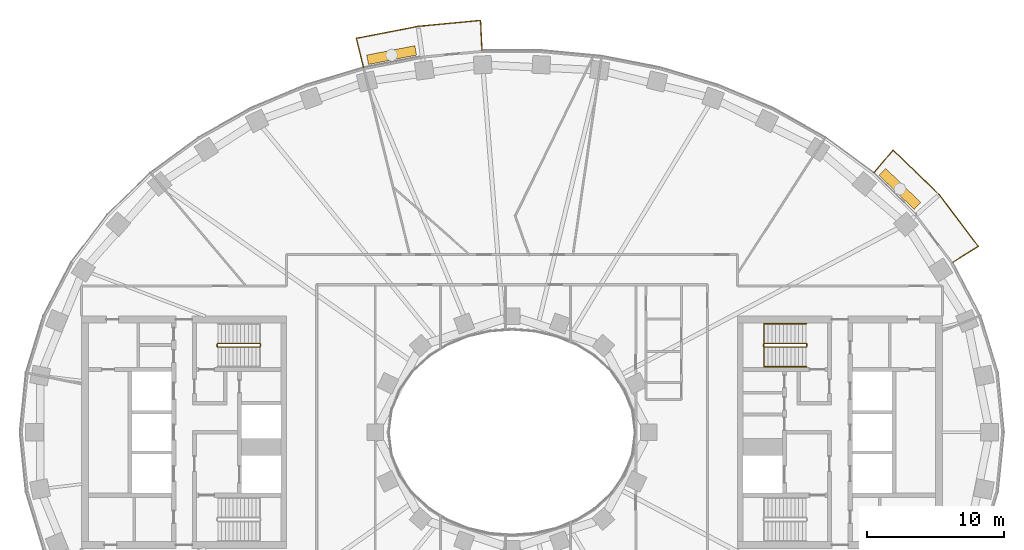
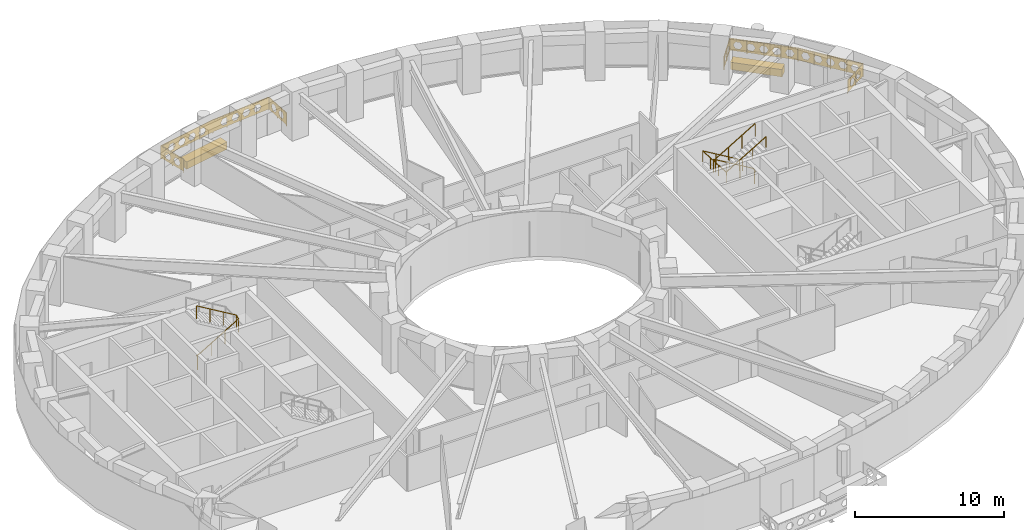
# One storey, part 15 of 16: 5 railings, 2 coverings.
"""IFC4 building model written with IfcOpenShell, lengths in metres."""

import ifcopenshell
import ifcopenshell.guid

model = None  # the IFC model being written
_history = None  # IfcOwnerHistory: only IFC2X3 demands one
_inside = {}  # id of a spatial element -> (the spatial element, [elements in it])
_under = {}  # id of a project, library or spatial element -> (it, [spatial elements below it])
_declared = {}  # id of a project -> (the project, [libraries it declares])
_typed = {}  # id of a type object -> (the type object, [elements of that type])
_made_of = {}  # id of a material, layer set ... -> (it, [elements and type objects made of it])


def new_model(schema):
    """Start an empty IFC model of exactly this schema.

    Asked for "IFC4X3", IfcOpenShell would pick the latest addendum, in which some entities
    have other attributes; the version numbers below select the first issue.
    IFC2X3 requires an IfcOwnerHistory on every rooted entity: one is made here for all.
    """
    global model, _history
    if schema == "IFC4X3":
        model = ifcopenshell.file(schema_version=(4, 3, 0, 0))
    else:
        model = ifcopenshell.file(schema=schema)
    _inside.clear()
    _under.clear()
    _declared.clear()
    _typed.clear()
    _made_of.clear()
    _history = None
    if model.schema == "IFC2X3":
        org = make("IfcOrganization", Name="unknown")
        user = make(
            "IfcPersonAndOrganization",
            ThePerson=make("IfcPerson", FamilyName="unknown"),
            TheOrganization=org,
        )
        app = make(
            "IfcApplication",
            ApplicationDeveloper=org,
            Version="unknown",
            ApplicationFullName="unknown",
            ApplicationIdentifier="unknown",
        )
        _history = make(
            "IfcOwnerHistory",
            OwningUser=user,
            OwningApplication=app,
            ChangeAction="ADDED",
            CreationDate=0,
        )
    return model


def make(cls, **values):
    """One entity of the class cls with the attributes given. An attribute that is None is left unset."""
    return model.create_entity(
        cls, **{name: value for name, value in values.items() if value is not None}
    )


def rooted(cls, **values):
    """An entity with a GlobalId (a new one), such as an element, a storey or a relation."""
    return make(cls, GlobalId=ifcopenshell.guid.new(), OwnerHistory=_history, **values)


def si_unit(unit_type, name, prefix=None):
    """IfcSIUnit, for example si_unit("LENGTHUNIT", "METRE", prefix="MILLI")."""
    return make("IfcSIUnit", UnitType=unit_type, Prefix=prefix, Name=name)


def assignment(units):
    """IfcUnitAssignment: the units of a project."""
    return None if units is None else make("IfcUnitAssignment", Units=units)


def point(xyz):
    """IfcCartesianPoint."""
    return None if xyz is None else make("IfcCartesianPoint", Coordinates=xyz)


def direction(xyz):
    """IfcDirection."""
    return None if xyz is None else make("IfcDirection", DirectionRatios=xyz)


def frame(location, z_axis=None, x_axis=None):
    """IfcAxis2Placement3D, a coordinate frame: its origin and axes. An axis left out is left unset."""
    return make(
        "IfcAxis2Placement3D",
        Location=point(location),
        Axis=direction(z_axis),
        RefDirection=direction(x_axis),
    )


def frame_2d(location, x_axis=None):
    """IfcAxis2Placement2D, a coordinate frame in the plane: its origin and x axis."""
    return make(
        "IfcAxis2Placement2D", Location=point(location), RefDirection=direction(x_axis)
    )


def origin():
    """The frame at (0, 0, 0) with its axes left unset."""
    return frame((0.0, 0.0, 0.0))


def origin_2d():
    """The frame at (0, 0) in the plane with its x axis left unset."""
    return frame_2d((0.0, 0.0))


def place(relative_to, where):
    """IfcLocalPlacement: puts the frame where relative to a parent placement (None: the world)."""
    return make(
        "IfcLocalPlacement", PlacementRelTo=relative_to, RelativePlacement=where
    )


def context(
    kind, dimensions, precision=None, world=None, true_north=None, identifier=None
):
    """IfcGeometricRepresentationContext, for example the 3D "Model" context."""
    return make(
        "IfcGeometricRepresentationContext",
        ContextIdentifier=identifier,
        ContextType=kind,
        CoordinateSpaceDimension=dimensions,
        Precision=precision,
        WorldCoordinateSystem=world,
        TrueNorth=true_north,
    )


def subcontext(parent, identifier, kind, view, scale=None):
    """IfcGeometricRepresentationSubContext, for example "Body" below "Model"."""
    return make(
        "IfcGeometricRepresentationSubContext",
        ContextIdentifier=identifier,
        ContextType=kind,
        ParentContext=parent,
        TargetScale=scale,
        TargetView=view,
    )


def project(units=None, contexts=None):
    """IfcProject with its units and contexts."""
    return rooted(
        "IfcProject",
        Name="project",
        RepresentationContexts=contexts,
        UnitsInContext=assignment(units),
    )


def spatial(cls, under=None, at=None, **own):
    """A site, building, storey or space (cls), placed at a placement, below another one or the project."""
    s = rooted(cls, ObjectPlacement=at, **own)
    if under is not None:
        _under.setdefault(under.id(), (under, []))[1].append(s)
    return s


def polyline(points):
    """IfcPolyline through the points."""
    return make("IfcPolyline", Points=[point(p) for p in points])


def profile(cls, at=None, kind="AREA", **sizes):
    """A parametric profile (cls). Its sizes go by their IFC names, for example OverallWidth=200.0."""
    return make(cls, ProfileType=kind, Position=at, **sizes)


def rectangle(**sizes):
    """IfcRectangleProfileDef."""
    return profile("IfcRectangleProfileDef", **sizes)


def outline(outer, holes=None, kind="AREA"):
    """IfcArbitraryClosedProfileDef: a profile drawn as a closed curve; with holes, ...WithVoids."""
    if holes is None:
        return make("IfcArbitraryClosedProfileDef", ProfileType=kind, OuterCurve=outer)
    return make(
        "IfcArbitraryProfileDefWithVoids",
        ProfileType=kind,
        OuterCurve=outer,
        InnerCurves=holes,
    )


def extrude(swept, where, along, depth):
    """IfcExtrudedAreaSolid: the profile swept, set in the frame where, extruded along a direction by depth."""
    return make(
        "IfcExtrudedAreaSolid",
        SweptArea=swept,
        Position=where,
        ExtrudedDirection=direction(along),
        Depth=depth,
    )


def shape(context_of_items, identifier, shape_type, items):
    """IfcShapeRepresentation: the items that make up one representation, for example the "Body"."""
    return make(
        "IfcShapeRepresentation",
        ContextOfItems=context_of_items,
        RepresentationIdentifier=identifier,
        RepresentationType=shape_type,
        Items=items,
    )


def material(Name=None, Category=None):
    """IfcMaterial."""
    return make("IfcMaterial", Name=Name, Category=Category)


def made_of(thing, what):
    """Note that an element or type object is made of a material, layer set ...; save() writes the relation."""
    if what is not None:
        _made_of.setdefault(what.id(), (what, []))[1].append(thing)
    return thing


def type_object(cls, material=None, **own):
    """A type object (cls), such as IfcWallType, which elements share."""
    return made_of(rooted(cls, **own), material)


def element(
    cls,
    number,
    at=None,
    inside=None,
    cuts=None,
    type_object=None,
    material=None,
    context=None,
    identifier="Body",
    shape_type=None,
    held_by="IfcProductDefinitionShape",
    body=None,
    shapes=None,
    **own,
):
    """One element of the class cls, such as IfcWall. Its Tag is "e" and its number.

    at: its placement. inside: the storey or other place that contains it. cuts: it is an
    opening in that element (IfcRelVoidsElement). A single representation is given by context,
    identifier, shape_type and body (its items); several are given by shapes. held_by: the class
    of the entity that holds the representations. save() writes the other relations.
    """
    e = rooted(cls, Tag="e%d" % number, ObjectPlacement=at, **own)
    if body is not None:
        shapes = [shape(context, identifier, shape_type, body)]
    if shapes is not None:
        e.Representation = make(held_by, Representations=shapes)
    if inside is not None:
        _inside.setdefault(inside.id(), (inside, []))[1].append(e)
    if cuts is not None:
        rooted(
            "IfcRelVoidsElement", RelatingBuildingElement=cuts, RelatedOpeningElement=e
        )
    if type_object is not None:
        _typed.setdefault(type_object.id(), (type_object, []))[1].append(e)
    return made_of(e, material)


def aggregate(whole, parts):
    """IfcRelAggregates: a whole, such as a stair, and the parts it consists of."""
    return rooted("IfcRelAggregates", RelatingObject=whole, RelatedObjects=parts)


def save(model, path):
    """Write the relations noted so far, then the file.

    IfcRelAggregates (storeys below a building ...), IfcRelContainedInSpatialStructure (elements
    in a storey), IfcRelDefinesByType, IfcRelAssociatesMaterial and IfcRelDeclares: one each for
    every whole, place, type object, material and project.
    """
    for whole, parts in _under.values():
        aggregate(whole, parts)
    for where, things in _inside.values():
        rooted(
            "IfcRelContainedInSpatialStructure",
            RelatedElements=things,
            RelatingStructure=where,
        )
    for kind, things in _typed.values():
        rooted("IfcRelDefinesByType", RelatedObjects=things, RelatingType=kind)
    for what, things in _made_of.values():
        rooted("IfcRelAssociatesMaterial", RelatedObjects=things, RelatingMaterial=what)
    for by, libraries in _declared.values():
        rooted("IfcRelDeclares", RelatingContext=by, RelatedDefinitions=libraries)
    model.write(path)


model = new_model("IFC4")

# Units and contexts
model_context = context("Model", 3, precision=1e-05, world=origin(), true_north=direction((0.0, 1.0)))
body_context = subcontext(model_context, "Body", "Model", "MODEL_VIEW")
ifc_project = project(units=[si_unit("LENGTHUNIT", "METRE"), si_unit("AREAUNIT", "SQUARE_METRE"), si_unit("VOLUMEUNIT", "CUBIC_METRE"), si_unit("PLANEANGLEUNIT", "RADIAN"), si_unit("MASSUNIT", "GRAM", prefix="KILO")], contexts=[model_context])

# Site, building, storey
site_placement = place(None, origin())
site = spatial("IfcSite", under=ifc_project, at=site_placement, CompositionType="ELEMENT")
building_placement = place(site_placement, origin())
building = spatial("IfcBuilding", under=site, at=building_placement, Name="Noorbagh Ring Tower", CompositionType="ELEMENT")
storey_placement = place(building_placement, frame((0.0, 0.0, 108.0)))
storey = spatial("IfcBuildingStorey", under=building, at=storey_placement, Name="L24", CompositionType="ELEMENT", Elevation=108.0)

# Railings
ifc_material_1 = material(Name="Stainless steel", Category="steel")
railing_type_1 = type_object("IfcRailingType", Name="CORE-STAIR-GUARD", PredefinedType="GUARDRAIL", material=ifc_material_1)
railing_1_placement = place(storey_placement, frame((-21.580078125, 6.300048828125, 0.0)))
element("IfcRailing", 1, at=railing_1_placement, inside=storey, type_object=railing_type_1, Name="L24 ST1 stair guard", PredefinedType="GUARDRAIL", context=body_context, shape_type="SweptSolid", body=[
    extrude(rectangle(XDim=0.048095703125, YDim=0.048095703125, at=origin_2d()), frame((0.0, 0.0, 1.076171875), z_axis=(0.0, 1.0, 0.0), x_axis=(-1.0, 0.0, 0.0)), (0.0, 0.0, 1.0), 0.14990234375),
    extrude(rectangle(XDim=0.048095703125, YDim=0.048095703125, at=origin_2d()), frame((0.0, 0.14990234375, 1.076171875), z_axis=(0.188775798145, -0.754182335027, 0.628945707965), x_axis=(0.970072785993, 0.242814311512, 0.0)), (0.0, 0.0, 1.0), 0.26513671875),
    extrude(rectangle(XDim=0.048095703125, YDim=0.048095703125, at=origin_2d()), frame((0.050048828125, -0.050048828125, 1.24267578125), z_axis=(0.859308565015, 0.0, 0.511457515432), x_axis=(0.0, 1.0, 0.0)), (0.0, 0.0, 1.0), 3.58447265625),
    extrude(rectangle(XDim=0.048095703125, YDim=0.048095703125, at=origin_2d()), frame((3.130126953125, -0.050048828125, 3.076171875), z_axis=(0.707106781187, 0.707106781187, 0.0), x_axis=(-0.707106781187, 0.707106781187, 0.0)), (0.0, 0.0, 1.0), 0.07080078125),
    extrude(rectangle(XDim=0.048095703125, YDim=0.048095703125, at=origin_2d()), frame((3.18017578125, 0.0, 3.076171875), z_axis=(0.0, 1.0, 0.0), x_axis=(-1.0, 0.0, 0.0)), (0.0, 0.0, 1.0), 0.14990234375),
    extrude(rectangle(XDim=0.048095703125, YDim=0.048095703125, at=origin_2d()), frame((3.18017578125, 0.14990234375, 3.076171875), z_axis=(-0.27628659633, 0.27628659633, 0.920506074601), x_axis=(-0.707106781187, -0.707106781187, 0.0)), (0.0, 0.0, 1.0), 0.18115234375),
    extrude(rectangle(XDim=0.048095703125, YDim=0.048095703125, at=origin_2d()), frame((3.130126953125, 0.199951171875, 3.24267578125), z_axis=(-0.859308565015, 0.0, 0.511457515432), x_axis=(0.0, -1.0, 0.0)), (0.0, 0.0, 1.0), 3.58447265625),
    extrude(rectangle(XDim=0.0419921875, YDim=0.0419921875, at=origin_2d()), origin(), (0.0, 0.0, 1.0), 1.052001953125),
    extrude(rectangle(XDim=0.0419921875, YDim=0.0419921875, at=origin_2d()), frame((1.07666015625, -0.050048828125, 0.77783203125)), (0.0, 0.0, 1.0), 1.052001953125),
    extrude(rectangle(XDim=0.0419921875, YDim=0.0419921875, at=origin_2d()), frame((2.103515625, -0.050048828125, 1.388916015625)), (0.0, 0.0, 1.0), 1.052001953125),
    extrude(rectangle(XDim=0.0419921875, YDim=0.0419921875, at=origin_2d()), frame((3.130126953125, -0.050048828125, 2.0)), (0.0, 0.0, 1.0), 1.052001953125),
    extrude(rectangle(XDim=0.0419921875, YDim=0.0419921875, at=origin_2d()), frame((3.130126953125, 0.199951171875, 2.166748046875)), (0.0, 0.0, 1.0), 1.052001953125),
    extrude(rectangle(XDim=0.0419921875, YDim=0.0419921875, at=origin_2d()), frame((2.103515625, 0.199951171875, 2.77783203125)), (0.0, 0.0, 1.0), 1.052001953125),
    extrude(rectangle(XDim=0.0419921875, YDim=0.0419921875, at=origin_2d()), frame((1.07666015625, 0.199951171875, 3.388916015625)), (0.0, 0.0, 1.0), 1.052001953125),
    extrude(rectangle(XDim=0.0419921875, YDim=0.0419921875, at=origin_2d()), frame((0.050048828125, 0.199951171875, 4.0)), (0.0, 0.0, 1.0), 1.052001953125),
])
railing_2_placement = place(storey_placement, frame((21.580078125, 6.449951171875, 0.0)))
element("IfcRailing", 2, at=railing_2_placement, inside=storey, type_object=railing_type_1, Name="L24 ST3 stair guard", PredefinedType="GUARDRAIL", context=body_context, shape_type="SweptSolid", body=[
    extrude(rectangle(XDim=0.048095703125, YDim=0.048095703125, at=origin_2d()), frame((0.0, 0.0, 1.076171875), z_axis=(0.0, -1.0, 0.0), x_axis=(1.0, 0.0, 0.0)), (0.0, 0.0, 1.0), 0.14990234375),
    extrude(rectangle(XDim=0.048095703125, YDim=0.048095703125, at=origin_2d()), frame((0.0, -0.14990234375, 1.076171875), z_axis=(-0.188775798145, 0.754182335027, 0.628945707965), x_axis=(-0.970072785993, -0.242814311512, 0.0)), (0.0, 0.0, 1.0), 0.26513671875),
    extrude(rectangle(XDim=0.048095703125, YDim=0.048095703125, at=origin_2d()), frame((-0.050048828125, 0.050048828125, 1.24267578125), z_axis=(-0.859308565015, 0.0, 0.511457515432), x_axis=(0.0, -1.0, 0.0)), (0.0, 0.0, 1.0), 3.58447265625),
    extrude(rectangle(XDim=0.048095703125, YDim=0.048095703125, at=origin_2d()), frame((-3.130126953125, 0.050048828125, 3.076171875), z_axis=(-0.707106781187, -0.707106781187, 0.0), x_axis=(0.707106781187, -0.707106781187, 0.0)), (0.0, 0.0, 1.0), 0.07080078125),
    extrude(rectangle(XDim=0.048095703125, YDim=0.048095703125, at=origin_2d()), frame((-3.18017578125, 0.0, 3.076171875), z_axis=(0.0, -1.0, 0.0), x_axis=(1.0, 0.0, 0.0)), (0.0, 0.0, 1.0), 0.14990234375),
    extrude(rectangle(XDim=0.048095703125, YDim=0.048095703125, at=origin_2d()), frame((-3.18017578125, -0.14990234375, 3.076171875), z_axis=(0.27628659633, -0.27628659633, 0.920506074601), x_axis=(0.707106781187, 0.707106781187, 0.0)), (0.0, 0.0, 1.0), 0.18115234375),
    extrude(rectangle(XDim=0.048095703125, YDim=0.048095703125, at=origin_2d()), frame((-3.130126953125, -0.199951171875, 3.24267578125), z_axis=(0.859308565015, 0.0, 0.511457515432), x_axis=(0.0, 1.0, 0.0)), (0.0, 0.0, 1.0), 3.58447265625),
    extrude(rectangle(XDim=0.0419921875, YDim=0.0419921875, at=origin_2d()), origin(), (0.0, 0.0, 1.0), 1.052001953125),
    extrude(rectangle(XDim=0.0419921875, YDim=0.0419921875, at=origin_2d()), frame((-1.07666015625, 0.050048828125, 0.77783203125)), (0.0, 0.0, 1.0), 1.052001953125),
    extrude(rectangle(XDim=0.0419921875, YDim=0.0419921875, at=origin_2d()), frame((-2.103515625, 0.050048828125, 1.388916015625)), (0.0, 0.0, 1.0), 1.052001953125),
    extrude(rectangle(XDim=0.0419921875, YDim=0.0419921875, at=origin_2d()), frame((-3.130126953125, 0.050048828125, 2.0)), (0.0, 0.0, 1.0), 1.052001953125),
    extrude(rectangle(XDim=0.0419921875, YDim=0.0419921875, at=origin_2d()), frame((-3.130126953125, -0.199951171875, 2.166748046875)), (0.0, 0.0, 1.0), 1.052001953125),
    extrude(rectangle(XDim=0.0419921875, YDim=0.0419921875, at=origin_2d()), frame((-2.103515625, -0.199951171875, 2.77783203125)), (0.0, 0.0, 1.0), 1.052001953125),
    extrude(rectangle(XDim=0.0419921875, YDim=0.0419921875, at=origin_2d()), frame((-1.07666015625, -0.199951171875, 3.388916015625)), (0.0, 0.0, 1.0), 1.052001953125),
    extrude(rectangle(XDim=0.0419921875, YDim=0.0419921875, at=origin_2d()), frame((-0.050048828125, -0.199951171875, 4.0)), (0.0, 0.0, 1.0), 1.052001953125),
])
ifc_material_2 = material(Name="Stainless steel", Category="steel")
railing_type_2 = type_object("IfcRailingType", Name="CORE-STAIR-HANDRAIL", PredefinedType="HANDRAIL", material=ifc_material_2)
railing_3_placement = place(storey_placement, frame((21.530029296875, 7.949951171875, 0.166748046875)))
element("IfcRailing", 3, at=railing_3_placement, inside=storey, type_object=railing_type_2, Name="L24 ST3 stair handrail", PredefinedType="HANDRAIL", context=body_context, shape_type="SweptSolid", body=[
    extrude(rectangle(XDim=0.048095703125, YDim=0.048095703125, at=origin_2d()), frame((0.0, 0.0, 0.8759765625), z_axis=(-0.859308565015, 0.0, 0.511457515432), x_axis=(0.0, -1.0, 0.0)), (0.0, 0.0, 1.0), 3.58447265625),
    extrude(rectangle(XDim=0.048095703125, YDim=0.048095703125, at=origin_2d()), frame((-3.080078125, 0.0, 2.708984375), z_axis=(0.0, -0.998601747152, 0.052863509014), x_axis=(1.0, 0.0, 0.0)), (0.0, 0.0, 1.0), 3.154296875),
    extrude(rectangle(XDim=0.048095703125, YDim=0.048095703125, at=origin_2d()), frame((-3.080078125, -3.14990234375, 2.8759765625), z_axis=(0.859308565015, 0.0, 0.511457515432), x_axis=(0.0, 1.0, 0.0)), (0.0, 0.0, 1.0), 3.58447265625),
    extrude(rectangle(XDim=0.0419921875, YDim=0.0419921875, at=origin_2d()), origin(), (0.0, 0.0, 1.0), 0.851806640625),
    extrude(rectangle(XDim=0.0419921875, YDim=0.0419921875, at=origin_2d()), frame((-1.026611328125, 0.0, 0.611083984375)), (0.0, 0.0, 1.0), 0.851806640625),
    extrude(rectangle(XDim=0.0419921875, YDim=0.0419921875, at=origin_2d()), frame((-2.053466796875, 0.0, 1.22216796875)), (0.0, 0.0, 1.0), 0.851806640625),
    extrude(rectangle(XDim=0.0419921875, YDim=0.0419921875, at=origin_2d()), frame((-3.080078125, 0.0, 1.833251953125)), (0.0, 0.0, 1.0), 0.851806640625),
    extrude(rectangle(XDim=0.0419921875, YDim=0.0419921875, at=origin_2d()), frame((-3.080078125, -1.050048828125, 1.888916015625)), (0.0, 0.0, 1.0), 0.851806640625),
    extrude(rectangle(XDim=0.0419921875, YDim=0.0419921875, at=origin_2d()), frame((-3.080078125, -2.099853515625, 1.9443359375)), (0.0, 0.0, 1.0), 0.851806640625),
    extrude(rectangle(XDim=0.0419921875, YDim=0.0419921875, at=origin_2d()), frame((-3.080078125, -3.14990234375, 2.0)), (0.0, 0.0, 1.0), 0.851806640625),
    extrude(rectangle(XDim=0.0419921875, YDim=0.0419921875, at=origin_2d()), frame((-2.053466796875, -3.14990234375, 2.611083984375)), (0.0, 0.0, 1.0), 0.851806640625),
    extrude(rectangle(XDim=0.0419921875, YDim=0.0419921875, at=origin_2d()), frame((-1.026611328125, -3.14990234375, 3.22216796875)), (0.0, 0.0, 1.0), 0.851806640625),
    extrude(rectangle(XDim=0.0419921875, YDim=0.0419921875, at=origin_2d()), frame((0.0, -3.14990234375, 3.833251953125)), (0.0, 0.0, 1.0), 0.851806640625),
])
ifc_material_3 = material(Name="Steel S275 black powder-coated", Category="steel")
railing_type_3 = type_object("IfcRailingType", Name="ENV-GUARD", PredefinedType="GUARDRAIL", material=ifc_material_3)
railing_4_placement = place(storey_placement, frame((32.255126953125, 12.434814453125, 0.0)))
element("IfcRailing", 4, at=railing_4_placement, inside=storey, type_object=railing_type_3, Name="Balcony guard BN01", PredefinedType="GUARDRAIL", context=body_context, shape_type="SweptSolid", body=[
    extrude(rectangle(XDim=0.048095703125, YDim=0.048095703125, at=origin_2d()), frame((0.0, 0.0, 1.076171875), z_axis=(0.844852397829, 0.534999463442, 0.0), x_axis=(-0.534999463442, 0.844852397829, 0.0)), (0.0, 0.0, 1.0), 2.207763671875),
    extrude(rectangle(XDim=0.048095703125, YDim=0.048095703125, at=origin_2d()), frame((1.865234375, 1.18115234375, 1.076171875), z_axis=(-0.604001613322, 0.796983093362, 0.0), x_axis=(-0.796983093362, -0.604001613322, 0.0)), (0.0, 0.0, 1.0), 4.7353515625),
    extrude(rectangle(XDim=0.048095703125, YDim=0.048095703125, at=origin_2d()), frame((-0.994873046875, 4.955078125, 1.076171875), z_axis=(-0.717212632946, 0.696854388766, 0.0), x_axis=(-0.696854388766, -0.717212632946, 0.0)), (0.0, 0.0, 1.0), 4.700927734375),
    extrude(rectangle(XDim=0.048095703125, YDim=0.048095703125, at=origin_2d()), frame((-4.366455078125, 8.23095703125, 1.076171875), z_axis=(-0.646413574048, -0.762987215677, 0.0), x_axis=(0.762987215677, -0.646413574048, 0.0)), (0.0, 0.0, 1.0), 2.205322265625),
    extrude(rectangle(XDim=0.0419921875, YDim=0.0419921875, at=origin_2d()), origin(), (0.0, 0.0, 1.0), 1.052001953125),
    extrude(rectangle(XDim=0.0419921875, YDim=0.0419921875, at=origin_2d()), frame((0.9326171875, 0.590576171875, 0.0)), (0.0, 0.0, 1.0), 1.052001953125),
    extrude(rectangle(XDim=0.0419921875, YDim=0.0419921875, at=origin_2d()), frame((1.865234375, 1.18115234375, 0.0)), (0.0, 0.0, 1.0), 1.052001953125),
    extrude(rectangle(XDim=0.0419921875, YDim=0.0419921875, at=origin_2d()), frame((1.150146484375, 2.12451171875, 0.0)), (0.0, 0.0, 1.0), 1.052001953125),
    extrude(rectangle(XDim=0.0419921875, YDim=0.0419921875, at=origin_2d()), frame((0.43505859375, 3.068115234375, 0.0)), (0.0, 0.0, 1.0), 1.052001953125),
    extrude(rectangle(XDim=0.0419921875, YDim=0.0419921875, at=origin_2d()), frame((-0.27978515625, 4.01171875, 0.0)), (0.0, 0.0, 1.0), 1.052001953125),
    extrude(rectangle(XDim=0.0419921875, YDim=0.0419921875, at=origin_2d()), frame((-0.994873046875, 4.955078125, 0.0)), (0.0, 0.0, 1.0), 1.052001953125),
    extrude(rectangle(XDim=0.0419921875, YDim=0.0419921875, at=origin_2d()), frame((-1.837890625, 5.77392578125, 0.0)), (0.0, 0.0, 1.0), 1.052001953125),
    extrude(rectangle(XDim=0.0419921875, YDim=0.0419921875, at=origin_2d()), frame((-2.6806640625, 6.593017578125, 0.0)), (0.0, 0.0, 1.0), 1.052001953125),
    extrude(rectangle(XDim=0.0419921875, YDim=0.0419921875, at=origin_2d()), frame((-3.5234375, 7.412109375, 0.0)), (0.0, 0.0, 1.0), 1.052001953125),
    extrude(rectangle(XDim=0.0419921875, YDim=0.0419921875, at=origin_2d()), frame((-4.366455078125, 8.23095703125, 0.0)), (0.0, 0.0, 1.0), 1.052001953125),
    extrude(rectangle(XDim=0.0419921875, YDim=0.0419921875, at=origin_2d()), frame((-5.0791015625, 7.3896484375, 0.0)), (0.0, 0.0, 1.0), 1.052001953125),
    extrude(rectangle(XDim=0.0419921875, YDim=0.0419921875, at=origin_2d()), frame((-5.7919921875, 6.54833984375, 0.0)), (0.0, 0.0, 1.0), 1.052001953125),
    extrude(outline(polyline([(0.0, 0.10009765625), (2.207763671875, 0.10009765625), (2.207763671875, 1.031982421875), (0.0, 1.031982421875), (0.0, 0.10009765625)]), holes=[polyline([(0.9638671875, 0.56591796875), (0.808837890625, 0.83447265625), (0.498779296875, 0.83447265625), (0.343994140625, 0.56591796875), (0.498779296875, 0.297607421875), (0.808837890625, 0.297607421875), (0.9638671875, 0.56591796875)]), polyline([(1.86376953125, 0.56591796875), (1.708984375, 0.83447265625), (1.39892578125, 0.83447265625), (1.243896484375, 0.56591796875), (1.39892578125, 0.297607421875), (1.708984375, 0.297607421875), (1.86376953125, 0.56591796875)])]), frame((-0.00537109375, 0.008544921875, 0.0), z_axis=(0.534999463442, -0.844852397829, 0.0), x_axis=(0.844852397829, 0.534999463442, 0.0)), (0.0, 0.0, 1.0), 0.02001953125),
    extrude(outline(polyline([(0.0, 0.10009765625), (4.7353515625, 0.10009765625), (4.7353515625, 1.031982421875), (0.0, 1.031982421875), (0.0, 0.10009765625)]), holes=[polyline([(0.877685546875, 0.56591796875), (0.72265625, 0.83447265625), (0.41259765625, 0.83447265625), (0.257568359375, 0.56591796875), (0.41259765625, 0.297607421875), (0.72265625, 0.297607421875), (0.877685546875, 0.56591796875)]), polyline([(1.777587890625, 0.56591796875), (1.62255859375, 0.83447265625), (1.312744140625, 0.83447265625), (1.15771484375, 0.56591796875), (1.312744140625, 0.297607421875), (1.62255859375, 0.297607421875), (1.777587890625, 0.56591796875)]), polyline([(2.677734375, 0.56591796875), (2.522705078125, 0.83447265625), (2.212646484375, 0.83447265625), (2.0576171875, 0.56591796875), (2.212646484375, 0.297607421875), (2.522705078125, 0.297607421875), (2.677734375, 0.56591796875)]), polyline([(3.57763671875, 0.56591796875), (3.422607421875, 0.83447265625), (3.112548828125, 0.83447265625), (2.95751953125, 0.56591796875), (3.112548828125, 0.297607421875), (3.422607421875, 0.297607421875), (3.57763671875, 0.56591796875)]), polyline([(4.4775390625, 0.56591796875), (4.32275390625, 0.83447265625), (4.0126953125, 0.83447265625), (3.857666015625, 0.56591796875), (4.0126953125, 0.297607421875), (4.32275390625, 0.297607421875), (4.4775390625, 0.56591796875)])]), frame((1.857177734375, 1.175048828125, 0.0), z_axis=(0.796983093362, 0.604001613322, 0.0), x_axis=(-0.604001613322, 0.796983093362, 0.0)), (0.0, 0.0, 1.0), 0.02001953125),
    extrude(outline(polyline([(0.0, 0.10009765625), (4.700927734375, 0.10009765625), (4.700927734375, 1.031982421875), (0.0, 1.031982421875), (0.0, 0.10009765625)]), holes=[polyline([(0.860595703125, 0.56591796875), (0.70556640625, 0.83447265625), (0.3955078125, 0.83447265625), (0.240478515625, 0.56591796875), (0.3955078125, 0.297607421875), (0.70556640625, 0.297607421875), (0.860595703125, 0.56591796875)]), polyline([(1.760498046875, 0.56591796875), (1.60546875, 0.83447265625), (1.29541015625, 0.83447265625), (1.140380859375, 0.56591796875), (1.29541015625, 0.297607421875), (1.60546875, 0.297607421875), (1.760498046875, 0.56591796875)]), polyline([(2.660400390625, 0.56591796875), (2.50537109375, 0.83447265625), (2.195556640625, 0.83447265625), (2.04052734375, 0.56591796875), (2.195556640625, 0.297607421875), (2.50537109375, 0.297607421875), (2.660400390625, 0.56591796875)]), polyline([(3.560546875, 0.56591796875), (3.405517578125, 0.83447265625), (3.095458984375, 0.83447265625), (2.9404296875, 0.56591796875), (3.095458984375, 0.297607421875), (3.405517578125, 0.297607421875), (3.560546875, 0.56591796875)]), polyline([(4.46044921875, 0.56591796875), (4.305419921875, 0.83447265625), (3.995361328125, 0.83447265625), (3.840576171875, 0.56591796875), (3.995361328125, 0.297607421875), (4.305419921875, 0.297607421875), (4.46044921875, 0.56591796875)])]), frame((-1.001953125, 4.947998046875, 0.0), z_axis=(0.696854388766, 0.717212632946, 0.0), x_axis=(-0.717212632946, 0.696854388766, 0.0)), (0.0, 0.0, 1.0), 0.02001953125),
    extrude(outline(polyline([(0.0, 0.10009765625), (2.205322265625, 0.10009765625), (2.205322265625, 1.031982421875), (0.0, 1.031982421875), (0.0, 0.10009765625)]), holes=[polyline([(0.962646484375, 0.56591796875), (0.8076171875, 0.83447265625), (0.49755859375, 0.83447265625), (0.342529296875, 0.56591796875), (0.49755859375, 0.297607421875), (0.8076171875, 0.297607421875), (0.962646484375, 0.56591796875)]), polyline([(1.862548828125, 0.56591796875), (1.707763671875, 0.83447265625), (1.397705078125, 0.83447265625), (1.24267578125, 0.56591796875), (1.397705078125, 0.297607421875), (1.707763671875, 0.297607421875), (1.862548828125, 0.56591796875)])]), frame((-4.35888671875, 8.224609375, 0.0), z_axis=(-0.762987215677, 0.646413574048, 0.0), x_axis=(-0.646413574048, -0.762987215677, 0.0)), (0.0, 0.0, 1.0), 0.02001953125),
])
railing_5_placement = place(storey_placement, frame((-2.193115234375, 27.947998046875, 0.0)))
element("IfcRailing", 5, at=railing_5_placement, inside=storey, type_object=railing_type_3, Name="Balcony guard BN04", PredefinedType="GUARDRAIL", context=body_context, shape_type="SweptSolid", body=[
    extrude(rectangle(XDim=0.048095703125, YDim=0.048095703125, at=origin_2d()), frame((0.0, 0.0, 1.076171875), z_axis=(-0.047554616162, 0.998868639252, 0.0), x_axis=(-0.998868639252, -0.047554616162, 0.0)), (0.0, 0.0, 1.0), 2.202392578125),
    extrude(rectangle(XDim=0.048095703125, YDim=0.048095703125, at=origin_2d()), frame((-0.104736328125, 2.199951171875, 1.076171875), z_axis=(-0.995477555764, -0.094997031379, 0.0), x_axis=(0.094997031379, -0.995477555764, 0.0)), (0.0, 0.0, 1.0), 4.59765625),
    extrude(rectangle(XDim=0.048095703125, YDim=0.048095703125, at=origin_2d()), frame((-4.681640625, 1.76318359375, 1.076171875), z_axis=(-0.981625049064, -0.1908199755, 0.0), x_axis=(0.1908199755, -0.981625049064, 0.0)), (0.0, 0.0, 1.0), 4.603271484375),
    extrude(rectangle(XDim=0.048095703125, YDim=0.048095703125, at=origin_2d()), frame((-9.200439453125, 0.884765625, 1.076171875), z_axis=(0.239848558412, -0.970810315679, 0.0), x_axis=(0.970810315679, 0.239848558412, 0.0)), (0.0, 0.0, 1.0), 2.20263671875),
    extrude(rectangle(XDim=0.0419921875, YDim=0.0419921875, at=origin_2d()), origin(), (0.0, 0.0, 1.0), 1.052001953125),
    extrude(rectangle(XDim=0.0419921875, YDim=0.0419921875, at=origin_2d()), frame((-0.05224609375, 1.10009765625, 0.0)), (0.0, 0.0, 1.0), 1.052001953125),
    extrude(rectangle(XDim=0.0419921875, YDim=0.0419921875, at=origin_2d()), frame((-0.104736328125, 2.199951171875, 0.0)), (0.0, 0.0, 1.0), 1.052001953125),
    extrude(rectangle(XDim=0.0419921875, YDim=0.0419921875, at=origin_2d()), frame((-1.2490234375, 2.0908203125, 0.0)), (0.0, 0.0, 1.0), 1.052001953125),
    extrude(rectangle(XDim=0.0419921875, YDim=0.0419921875, at=origin_2d()), frame((-2.39306640625, 1.9814453125, 0.0)), (0.0, 0.0, 1.0), 1.052001953125),
    extrude(rectangle(XDim=0.0419921875, YDim=0.0419921875, at=origin_2d()), frame((-3.537353515625, 1.872314453125, 0.0)), (0.0, 0.0, 1.0), 1.052001953125),
    extrude(rectangle(XDim=0.0419921875, YDim=0.0419921875, at=origin_2d()), frame((-4.681640625, 1.76318359375, 0.0)), (0.0, 0.0, 1.0), 1.052001953125),
    extrude(rectangle(XDim=0.0419921875, YDim=0.0419921875, at=origin_2d()), frame((-5.811279296875, 1.54345703125, 0.0)), (0.0, 0.0, 1.0), 1.052001953125),
    extrude(rectangle(XDim=0.0419921875, YDim=0.0419921875, at=origin_2d()), frame((-6.94091796875, 1.323974609375, 0.0)), (0.0, 0.0, 1.0), 1.052001953125),
    extrude(rectangle(XDim=0.0419921875, YDim=0.0419921875, at=origin_2d()), frame((-8.07080078125, 1.1044921875, 0.0)), (0.0, 0.0, 1.0), 1.052001953125),
    extrude(rectangle(XDim=0.0419921875, YDim=0.0419921875, at=origin_2d()), frame((-9.200439453125, 0.884765625, 0.0)), (0.0, 0.0, 1.0), 1.052001953125),
    extrude(rectangle(XDim=0.0419921875, YDim=0.0419921875, at=origin_2d()), frame((-8.936279296875, -0.1845703125, 0.0)), (0.0, 0.0, 1.0), 1.052001953125),
    extrude(rectangle(XDim=0.0419921875, YDim=0.0419921875, at=origin_2d()), frame((-8.672119140625, -1.253662109375, 0.0)), (0.0, 0.0, 1.0), 1.052001953125),
    extrude(outline(polyline([(0.0, 0.10009765625), (2.202392578125, 0.10009765625), (2.202392578125, 1.031982421875), (0.0, 1.031982421875), (0.0, 0.10009765625)]), holes=[polyline([(0.961181640625, 0.56591796875), (0.80615234375, 0.83447265625), (0.496337890625, 0.83447265625), (0.34130859375, 0.56591796875), (0.496337890625, 0.297607421875), (0.80615234375, 0.297607421875), (0.961181640625, 0.56591796875)]), polyline([(1.861328125, 0.56591796875), (1.706298828125, 0.83447265625), (1.396240234375, 0.83447265625), (1.2412109375, 0.56591796875), (1.396240234375, 0.297607421875), (1.706298828125, 0.297607421875), (1.861328125, 0.56591796875)])]), frame((-0.010009765625, -0.00048828125, 0.0), z_axis=(0.998868639252, 0.047554616162, 0.0), x_axis=(-0.047554616162, 0.998868639252, 0.0)), (0.0, 0.0, 1.0), 0.02001953125),
    extrude(outline(polyline([(0.0, 0.10009765625), (4.59765625, 0.10009765625), (4.59765625, 1.031982421875), (0.0, 1.031982421875), (0.0, 0.10009765625)]), holes=[polyline([(1.2587890625, 0.56591796875), (1.103759765625, 0.83447265625), (0.7939453125, 0.83447265625), (0.638916015625, 0.56591796875), (0.7939453125, 0.297607421875), (1.103759765625, 0.297607421875), (1.2587890625, 0.56591796875)]), polyline([(2.158935546875, 0.56591796875), (2.00390625, 0.83447265625), (1.69384765625, 0.83447265625), (1.538818359375, 0.56591796875), (1.69384765625, 0.297607421875), (2.00390625, 0.297607421875), (2.158935546875, 0.56591796875)]), polyline([(3.058837890625, 0.56591796875), (2.90380859375, 0.83447265625), (2.59375, 0.83447265625), (2.43896484375, 0.56591796875), (2.59375, 0.297607421875), (2.90380859375, 0.297607421875), (3.058837890625, 0.56591796875)]), polyline([(3.958740234375, 0.56591796875), (3.803955078125, 0.83447265625), (3.493896484375, 0.83447265625), (3.3388671875, 0.56591796875), (3.493896484375, 0.297607421875), (3.803955078125, 0.297607421875), (3.958740234375, 0.56591796875)])]), frame((-0.103759765625, 2.18994140625, 0.0), z_axis=(-0.094997031379, 0.995477555764, 0.0), x_axis=(-0.995477555764, -0.094997031379, 0.0)), (0.0, 0.0, 1.0), 0.02001953125),
    extrude(outline(polyline([(0.0, 0.10009765625), (4.603271484375, 0.10009765625), (4.603271484375, 1.031982421875), (0.0, 1.031982421875), (0.0, 0.10009765625)]), holes=[polyline([(1.26171875, 0.56591796875), (1.106689453125, 0.83447265625), (0.796630859375, 0.83447265625), (0.6416015625, 0.56591796875), (0.796630859375, 0.297607421875), (1.106689453125, 0.297607421875), (1.26171875, 0.56591796875)]), polyline([(2.16162109375, 0.56591796875), (2.006591796875, 0.83447265625), (1.69677734375, 0.83447265625), (1.541748046875, 0.56591796875), (1.69677734375, 0.297607421875), (2.006591796875, 0.297607421875), (2.16162109375, 0.56591796875)]), polyline([(3.061767578125, 0.56591796875), (2.90673828125, 0.83447265625), (2.5966796875, 0.83447265625), (2.441650390625, 0.56591796875), (2.5966796875, 0.297607421875), (2.90673828125, 0.297607421875), (3.061767578125, 0.56591796875)]), polyline([(3.961669921875, 0.56591796875), (3.806640625, 0.83447265625), (3.49658203125, 0.83447265625), (3.341796875, 0.56591796875), (3.49658203125, 0.297607421875), (3.806640625, 0.297607421875), (3.961669921875, 0.56591796875)])]), frame((-4.6796875, 1.75341796875, 0.0), z_axis=(-0.1908199755, 0.981625049064, 0.0), x_axis=(-0.981625049064, -0.1908199755, 0.0)), (0.0, 0.0, 1.0), 0.02001953125),
    extrude(outline(polyline([(0.0, 0.10009765625), (2.20263671875, 0.10009765625), (2.20263671875, 1.031982421875), (0.0, 1.031982421875), (0.0, 0.10009765625)]), holes=[polyline([(0.96142578125, 0.56591796875), (0.806396484375, 0.83447265625), (0.496337890625, 0.83447265625), (0.34130859375, 0.56591796875), (0.496337890625, 0.297607421875), (0.806396484375, 0.297607421875), (0.96142578125, 0.56591796875)]), polyline([(1.861328125, 0.56591796875), (1.706298828125, 0.83447265625), (1.396240234375, 0.83447265625), (1.241455078125, 0.56591796875), (1.396240234375, 0.297607421875), (1.706298828125, 0.297607421875), (1.861328125, 0.56591796875)])]), frame((-9.190673828125, 0.88720703125, 0.0), z_axis=(-0.970810315679, -0.239848558412, 0.0), x_axis=(0.239848558412, -0.970810315679, 0.0)), (0.0, 0.0, 1.0), 0.02001953125),
])

# Coverings
ifc_material_4 = material(Name="Concrete C30/37 planter with soil", Category="concrete")
covering_type = type_object("IfcCoveringType", Name="ENV-PLANTER", PredefinedType="CLADDING", material=ifc_material_4)
covering_1_placement = place(storey_placement, frame((28.3837890625, 17.814208984375, 0.0), z_axis=(0.0, 0.0, 1.0), x_axis=(-0.717224548362, 0.696842125038, 0.0)))
element("IfcCovering", 6, at=covering_1_placement, inside=storey, type_object=covering_type, Name="PLANTER BN01", ObjectType="PLANTER", PredefinedType="CLADDING", context=body_context, shape_type="SweptSolid", body=[
    extrude(rectangle(XDim=3.584228515625, YDim=0.699951171875, at=origin_2d()), origin(), (0.0, 0.0, 1.0), 0.60009765625),
])
covering_2_placement = place(storey_placement, frame((-8.807861328125, 27.603515625, 0.0), z_axis=(0.0, 0.0, 1.0), x_axis=(-0.981624952922, -0.190820470077, 0.0)))
element("IfcCovering", 7, at=covering_2_placement, inside=storey, type_object=covering_type, Name="PLANTER BN04", ObjectType="PLANTER", PredefinedType="CLADDING", context=body_context, shape_type="SweptSolid", body=[
    extrude(rectangle(XDim=3.586181640625, YDim=0.699951171875, at=origin_2d()), origin(), (0.0, 0.0, 1.0), 0.60009765625),
])

save(model, "model.ifc")
